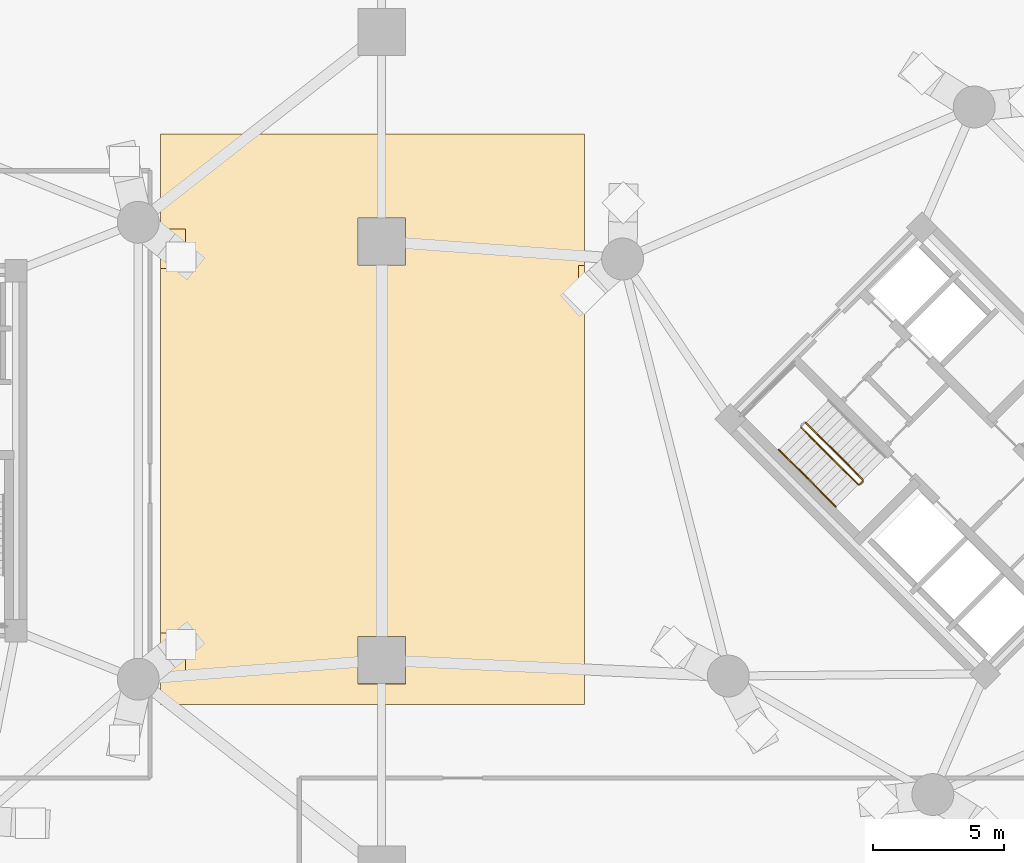
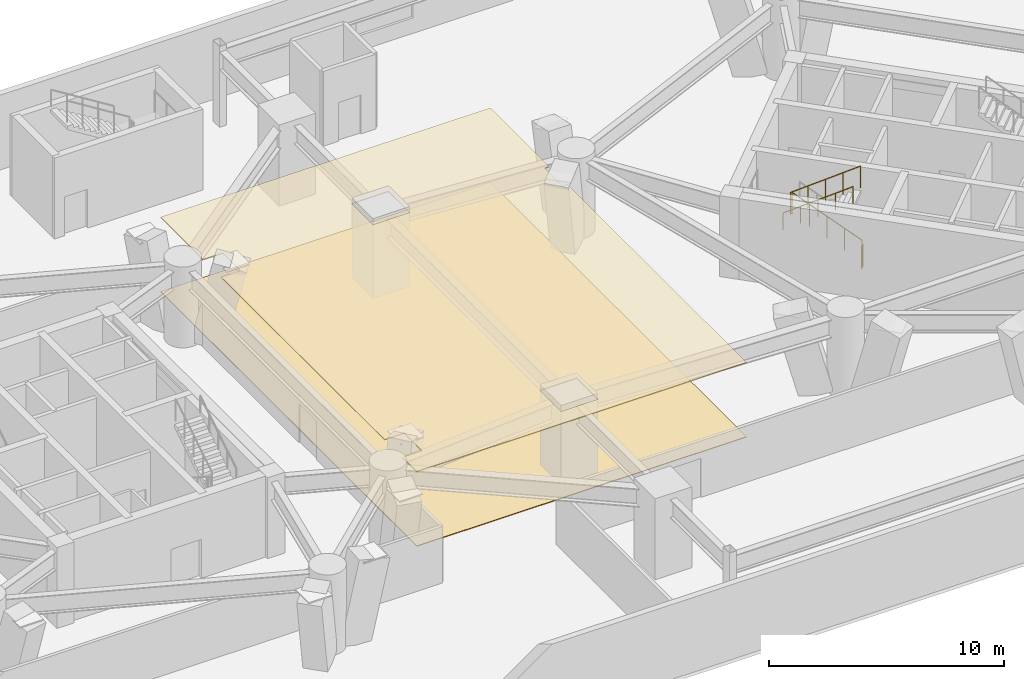
# One storey, part 17 of 20: 4 railings, 2 coverings.
"""IFC4 building model written with IfcOpenShell, lengths in metres."""

from ifc_helpers import new_model, si_unit, direction, frame, origin, origin_2d, place, context, subcontext, project, spatial, polyline, circle, outline, extrude, material, layer, layer_set, type_object, element, save


model = new_model("IFC4")

# Units and contexts
model_context = context("Model", 3, precision=1e-05, world=origin(), true_north=direction((0.0, 1.0)))
body_context = subcontext(model_context, "Body", "Model", "MODEL_VIEW")
ifc_project = project(units=[si_unit("LENGTHUNIT", "METRE"), si_unit("AREAUNIT", "SQUARE_METRE"), si_unit("VOLUMEUNIT", "CUBIC_METRE"), si_unit("PLANEANGLEUNIT", "RADIAN"), si_unit("MASSUNIT", "GRAM", prefix="KILO")], contexts=[model_context])

# Site, building, storey
site_placement = place(None, origin())
site = spatial("IfcSite", under=ifc_project, at=site_placement, CompositionType="ELEMENT")
building_placement = place(site_placement, origin())
building = spatial("IfcBuilding", under=site, at=building_placement, Name="Cununo Teusaquillo Station Towers", CompositionType="ELEMENT")
storey_placement = place(building_placement, frame((0.0, 0.0, 4.800048828125)))
storey = spatial("IfcBuildingStorey", under=building, at=storey_placement, Name="L01", CompositionType="ELEMENT", Elevation=4.800048828125)

# Coverings
ifc_material_1 = material(Name="Mineral-fibre acoustic suspended ceiling tile", Category="finish")
ifc_layer_1 = layer(ifc_material_1, 0.044921875)
ifc_layer_set_1 = layer_set([ifc_layer_1], Name="Mineral-fibre acoustic suspended ceiling tile")
covering_type_1 = type_object("IfcCoveringType", Name="COV-CEIL-600", PredefinedType="CEILING", material=ifc_layer_set_1)
covering_1_placement = place(storey_placement, frame((0.0, 0.0, 3.85498046875)))
element("IfcCovering", 1, at=covering_1_placement, inside=storey, type_object=covering_type_1, Name="L01 Suspended Acoustic Ceiling", PredefinedType="CEILING", context=body_context, shape_type="SweptSolid", body=[
    extrude(outline(polyline([(43.39990234375, 14.800048828125), (27.199951171875, 14.800048828125), (27.199951171875, 16.03076171875), (28.1591796875, 16.03076171875), (28.1591796875, 17.538818359375), (27.199951171875, 17.538818359375), (27.199951171875, 31.461181640625), (28.1591796875, 31.461181640625), (28.1591796875, 32.968994140625), (27.199951171875, 32.968994140625), (27.199951171875, 36.60009765625), (43.39990234375, 36.60009765625), (43.39990234375, 31.575439453125), (43.1748046875, 31.575439453125), (43.1748046875, 30.0673828125), (43.39990234375, 30.0673828125), (43.39990234375, 14.800048828125)]), holes=[polyline([(34.74609375, 15.595947265625), (36.553955078125, 15.595947265625), (36.553955078125, 17.404052734375), (34.74609375, 17.404052734375), (34.74609375, 15.595947265625)]), polyline([(34.74609375, 31.595947265625), (36.553955078125, 31.595947265625), (36.553955078125, 33.404052734375), (34.74609375, 33.404052734375), (34.74609375, 31.595947265625)])]), origin(), (0.0, 0.0, 1.0), 0.044921875),
])
ifc_material_2 = material(Name="Polished basalt-chip terrazzo floor finish", Category="masonry")
ifc_layer_2 = layer(ifc_material_2, 0.034912109375)
ifc_layer_set_2 = layer_set([ifc_layer_2], Name="Polished basalt-chip terrazzo floor finish")
covering_type_2 = type_object("IfcCoveringType", Name="COV-FLR-TERR", PredefinedType="FLOORING", material=ifc_layer_set_2)
covering_2_placement = place(storey_placement, origin())
element("IfcCovering", 2, at=covering_2_placement, inside=storey, type_object=covering_type_2, Name="L01 Polished Terrazzo Floor Finish", PredefinedType="FLOORING", context=body_context, shape_type="SweptSolid", body=[
    extrude(outline(polyline([(27.199951171875, 14.800048828125), (43.39990234375, 14.800048828125), (43.39990234375, 36.60009765625), (27.199951171875, 36.60009765625), (27.199951171875, 14.800048828125)])), origin(), (0.0, 0.0, 1.0), 0.034912109375),
])

# Railings
ifc_material_3 = material(Name="Steel EN 10025-2 S355J2", Category="steel")
railing_type_1 = type_object("IfcRailingType", Name="RL-INT-GUARD", PredefinedType="GUARDRAIL", material=ifc_material_3)
railing_1_placement = place(storey_placement, frame((54.03515625, 23.39697265625, 0.175048828125)))
element("IfcRailing", 3, at=railing_1_placement, inside=storey, type_object=railing_type_1, Name="L01 ST-T2-1 stair guard 1", PredefinedType="GUARDRAIL", context=body_context, shape_type="SweptSolid", body=[
    extrude(circle(Radius=0.02392578125, at=origin_2d()), frame((0.0, 0.0, 1.1259765625), z_axis=(-0.599630491434, 0.599630491434, 0.529987308797), x_axis=(-0.707106781187, -0.707106781187, 0.0)), (0.0, 0.0, 1.0), 3.6318359375),
    extrude(circle(Radius=0.02099609375, at=origin_2d()), origin(), (0.0, 0.0, 1.0), 1.101806640625),
    extrude(circle(Radius=0.02099609375, at=origin_2d()), frame((-0.54443359375, 0.54443359375, 0.481201171875)), (0.0, 0.0, 1.0), 1.101806640625),
    extrude(circle(Radius=0.02099609375, at=origin_2d()), frame((-1.0888671875, 1.0888671875, 0.96240234375)), (0.0, 0.0, 1.0), 1.101806640625),
    extrude(circle(Radius=0.02099609375, at=origin_2d()), frame((-1.63330078125, 1.63330078125, 1.443603515625)), (0.0, 0.0, 1.0), 1.101806640625),
    extrude(circle(Radius=0.02099609375, at=origin_2d()), frame((-2.177734375, 2.177734375, 1.9248046875)), (0.0, 0.0, 1.0), 1.101806640625),
])
railing_2_placement = place(storey_placement, frame((51.673583984375, 25.390869140625, 2.27490234375)))
element("IfcRailing", 4, at=railing_2_placement, inside=storey, type_object=railing_type_1, Name="L01 ST-T2-1 stair guard 4", PredefinedType="GUARDRAIL", context=body_context, shape_type="SweptSolid", body=[
    extrude(circle(Radius=0.02392578125, at=origin_2d()), frame((0.0, 0.0, 1.1259765625), z_axis=(0.599609127936, -0.599609127936, 0.530035647284), x_axis=(0.707106781187, 0.707106781187, 0.0)), (0.0, 0.0, 1.0), 3.6318359375),
    extrude(circle(Radius=0.02099609375, at=origin_2d()), origin(), (0.0, 0.0, 1.0), 1.101806640625),
    extrude(circle(Radius=0.02099609375, at=origin_2d()), frame((0.54443359375, -0.54443359375, 0.481201171875)), (0.0, 0.0, 1.0), 1.101806640625),
    extrude(circle(Radius=0.02099609375, at=origin_2d()), frame((1.0888671875, -1.0888671875, 0.96240234375)), (0.0, 0.0, 1.0), 1.101806640625),
    extrude(circle(Radius=0.02099609375, at=origin_2d()), frame((1.63330078125, -1.63330078125, 1.44384765625)), (0.0, 0.0, 1.0), 1.101806640625),
    extrude(circle(Radius=0.02099609375, at=origin_2d()), frame((2.177734375, -2.177734375, 1.925048828125)), (0.0, 0.0, 1.0), 1.101806640625),
])
railing_3_placement = place(storey_placement, frame((54.03515625, 23.326171875, 0.0)))
element("IfcRailing", 5, at=railing_3_placement, inside=storey, type_object=railing_type_1, Name="L01 ST-T2-1 stair guard 5", PredefinedType="GUARDRAIL", context=body_context, shape_type="SweptSolid", body=[
    extrude(circle(Radius=0.02392578125, at=origin_2d()), frame((0.0, 0.0, 1.1259765625), z_axis=(-0.707106781187, -0.707106781187, 0.0), x_axis=(0.707106781187, -0.707106781187, 0.0)), (0.0, 0.0, 1.0), 0.159912109375),
    extrude(circle(Radius=0.02099609375, at=origin_2d()), origin(), (0.0, 0.0, 1.0), 1.101806640625),
    extrude(circle(Radius=0.02099609375, at=origin_2d()), frame((-0.113037109375, -0.113037109375, 0.0)), (0.0, 0.0, 1.0), 1.101806640625),
])
ifc_material_4 = material(Name="Steel EN 10025-2 S355J2", Category="steel")
railing_type_2 = type_object("IfcRailingType", Name="RL-INT-HRAIL", PredefinedType="HANDRAIL", material=ifc_material_4)
railing_4_placement = place(storey_placement, frame((50.824951171875, 24.54248046875, 2.27490234375)))
element("IfcRailing", 6, at=railing_4_placement, inside=storey, type_object=railing_type_2, Name="L01 ST-T2-1 stair handrail 2", PredefinedType="HANDRAIL", context=body_context, shape_type="SweptSolid", body=[
    extrude(circle(Radius=0.02392578125, at=origin_2d()), frame((0.0, 0.0, 0.8759765625), z_axis=(0.599628010503, -0.599628010503, 0.529992922633), x_axis=(0.707106781187, 0.707106781187, 0.0)), (0.0, 0.0, 1.0), 3.63232421875),
    extrude(circle(Radius=0.02099609375, at=origin_2d()), origin(), (0.0, 0.0, 1.0), 0.851806640625),
    extrude(circle(Radius=0.02099609375, at=origin_2d()), frame((0.54443359375, -0.54443359375, 0.481201171875)), (0.0, 0.0, 1.0), 0.851806640625),
    extrude(circle(Radius=0.02099609375, at=origin_2d()), frame((1.0888671875, -1.0888671875, 0.96240234375)), (0.0, 0.0, 1.0), 0.851806640625),
    extrude(circle(Radius=0.02099609375, at=origin_2d()), frame((1.633544921875, -1.633544921875, 1.44384765625)), (0.0, 0.0, 1.0), 0.851806640625),
    extrude(circle(Radius=0.02099609375, at=origin_2d()), frame((2.177978515625, -2.177978515625, 1.925048828125)), (0.0, 0.0, 1.0), 0.851806640625),
])

save(model, "model.ifc")
